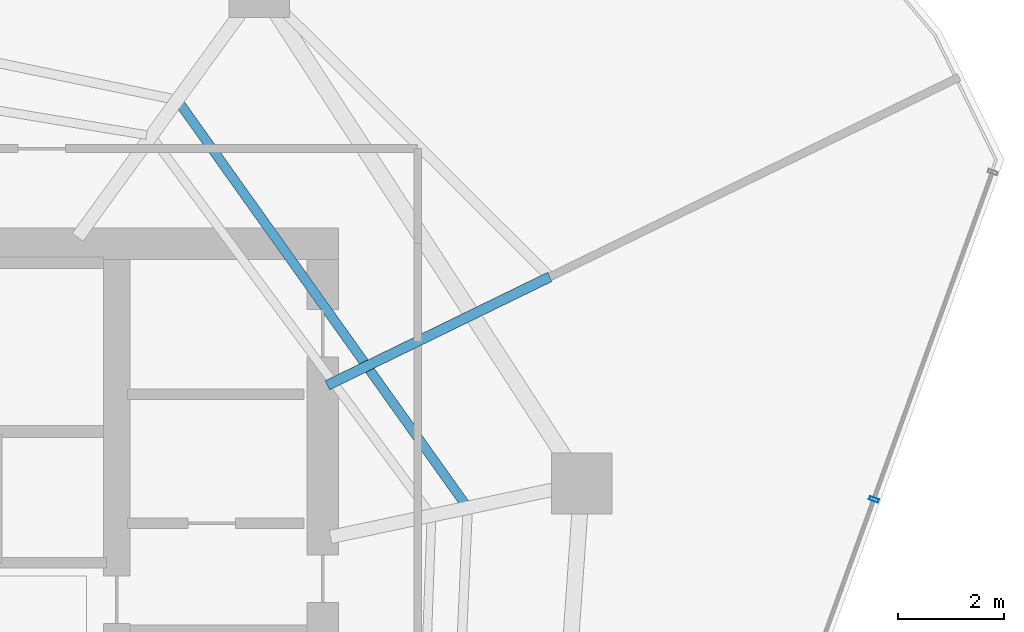
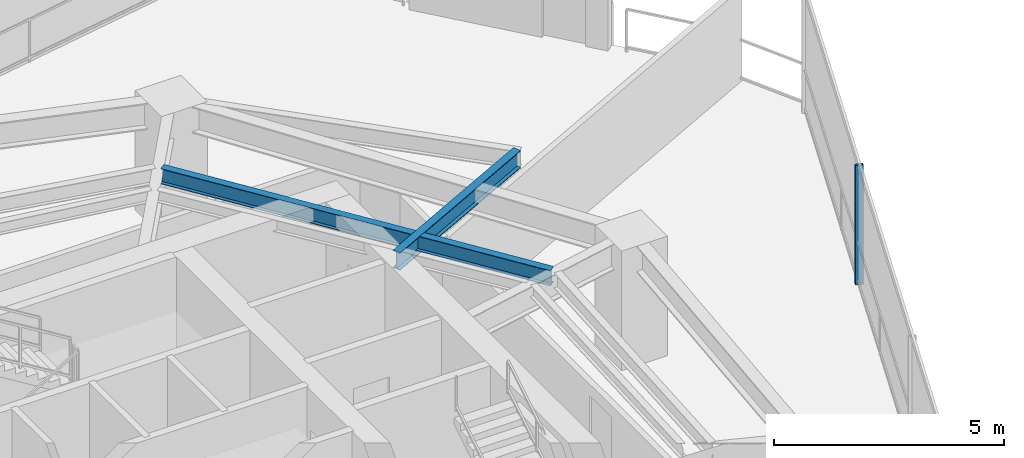
# One storey, part 15 of 27: 2 beams, 1 member, 1 element without a shape of its own.
"""IFC4 building model written with IfcOpenShell, lengths in metres."""

from ifc_helpers import new_model, si_unit, direction, frame, origin, origin_2d, place, context, subcontext, project, spatial, hollow_rectangle, i_section, extrude, material, layer, layer_set, material_profile, profile_set, type_object, element, aggregate, save


model = new_model("IFC4")

# Units and contexts
model_context = context("Model", 3, precision=1e-05, world=origin(), true_north=direction((0.0, 1.0)))
body_context = subcontext(model_context, "Body", "Model", "MODEL_VIEW")
ifc_project = project(units=[si_unit("LENGTHUNIT", "METRE"), si_unit("AREAUNIT", "SQUARE_METRE"), si_unit("VOLUMEUNIT", "CUBIC_METRE"), si_unit("PLANEANGLEUNIT", "RADIAN"), si_unit("MASSUNIT", "GRAM", prefix="KILO")], contexts=[model_context])

# Site, building, storey
site_placement = place(None, origin())
site = spatial("IfcSite", under=ifc_project, at=site_placement, CompositionType="ELEMENT")
building_placement = place(site_placement, origin())
building = spatial("IfcBuilding", under=site, at=building_placement, Name="Qarnah Convention Tower", CompositionType="ELEMENT")
storey_placement = place(building_placement, frame((0.0, 0.0, 103.949951171875)))
storey = spatial("IfcBuildingStorey", under=building, at=storey_placement, Name="L27", CompositionType="ELEMENT", Elevation=103.949951171875)

# Beams
ifc_material_1 = material(Name="Structural steel S355JR", Category="steel")
ifc_material_profile_1 = material_profile(ifc_material_1, i_section(OverallWidth=0.19189453125, OverallDepth=0.464111328125, WebThickness=0.010986328125, FlangeThickness=0.01806640625, at=origin_2d()), Name="W460X89")
ifc_profile_set_1 = profile_set([ifc_material_profile_1], Name="Structural steel S355JR")
beam_type_1 = type_object("IfcBeamType", Name="BM-CANT-W460A", PredefinedType="BEAM", material=ifc_profile_set_1)
beam_1_placement = place(storey_placement, frame((47.68994140625, 31.51611328125, 2.93798828125), z_axis=(0.898872044655, 0.438211190339, 0.0), x_axis=(-0.438211190339, 0.898872044655, 0.0)))
element("IfcBeam", 1, at=beam_1_placement, inside=storey, type_object=beam_type_1, Name="L27 beam BM-L27-CNT-01-2", PredefinedType="BEAM", context=body_context, shape_type="SweptSolid", body=[
    extrude(i_section(OverallWidth=0.19189453125, OverallDepth=0.464111328125, WebThickness=0.010986328125, FlangeThickness=0.01806640625, at=origin_2d()), origin(), (0.0, 0.0, 1.0), 4.687255859375),
])
ifc_material_profile_2 = material_profile(ifc_material_1, i_section(OverallWidth=0.177978515625, OverallDepth=0.407958984375, WebThickness=0.008056640625, FlangeThickness=0.012939453125, at=origin_2d()), Name="W410X60")
ifc_profile_set_2 = profile_set([ifc_material_profile_2], Name="Structural steel S355JR")
beam_type_2 = type_object("IfcBeamType", Name="BM-JST-W410", PredefinedType="JOIST", material=ifc_profile_set_2)
beam_2_placement = place(storey_placement, frame((50.2958984375, 29.26806640625, 2.966064453125), z_axis=(-0.580091214001, 0.814551522888, 0.0), x_axis=(-0.814551522888, -0.580091214001, 0.0)))
element("IfcBeam", 2, at=beam_2_placement, inside=storey, type_object=beam_type_2, Name="L27 joist BM-L27-SJST-01", PredefinedType="JOIST", context=body_context, shape_type="SweptSolid", body=[
    extrude(i_section(OverallWidth=0.177978515625, OverallDepth=0.407958984375, WebThickness=0.008056640625, FlangeThickness=0.012939453125, at=origin_2d()), origin(), (0.0, 0.0, 1.0), 9.30712890625),
])

# Curtain wall, member
ifc_material_2 = material(Name="Tempered Low-E dark glass", Category="glass")
ifc_layer = layer(ifc_material_2, 0.169921875)
ifc_layer_set = layer_set([ifc_layer], Name="Tempered Low-E dark glass")
curtain_wall_type = type_object("IfcCurtainWallType", Name="CWS-02", PredefinedType="NOTDEFINED", material=ifc_layer_set)
curtain_wall_placement = place(storey_placement, origin())
curtain_wall = element("IfcCurtainWall", 3, at=curtain_wall_placement, inside=storey, type_object=curtain_wall_type, Name="L27 unitised curtain wall CW-L27-F2", PredefinedType="NOTDEFINED")
ifc_material_3 = material(Name="Black anodised aluminium", Category="aluminium")
ifc_material_profile_3 = material_profile(ifc_material_3, hollow_rectangle(XDim=0.06494140625, YDim=0.179931640625, WallThickness=0.00390625, at=origin_2d()), Name="MUL-65X180")
ifc_profile_set_3 = profile_set([ifc_material_profile_3], Name="Black anodised aluminium")
member_type = type_object("IfcMemberType", Name="MUL-T2", PredefinedType="MULLION", material=ifc_profile_set_3)
member_placement = place(storey_placement, frame((58.046630859375, 29.352294921875, 0.0), z_axis=(0.0, 0.0, 1.0), x_axis=(-0.340708211397, -0.940169088349, 0.0)))
member = element("IfcMember", 4, at=member_placement, type_object=member_type, Name="CW-L27-F2 mullion 2", PredefinedType="MULLION", context=body_context, shape_type="SweptSolid", body=[
    extrude(hollow_rectangle(XDim=0.06494140625, YDim=0.179931640625, WallThickness=0.00390625, at=origin_2d()), origin(), (0.0, 0.0, 1.0), 3.170166015625),
])
aggregate(curtain_wall, [member])

save(model, "model.ifc")
